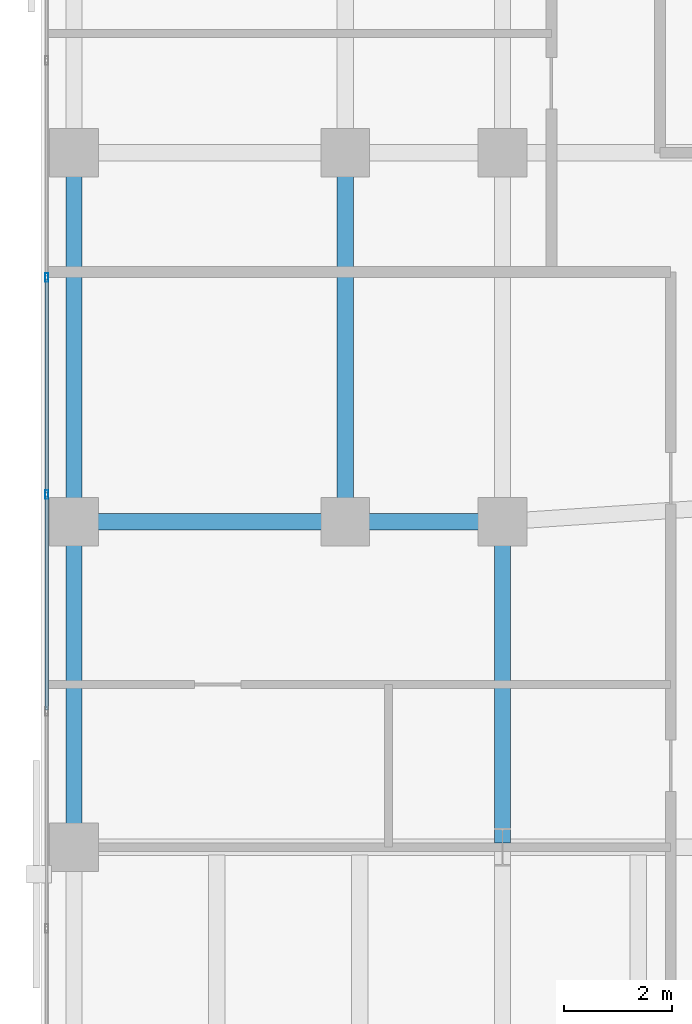
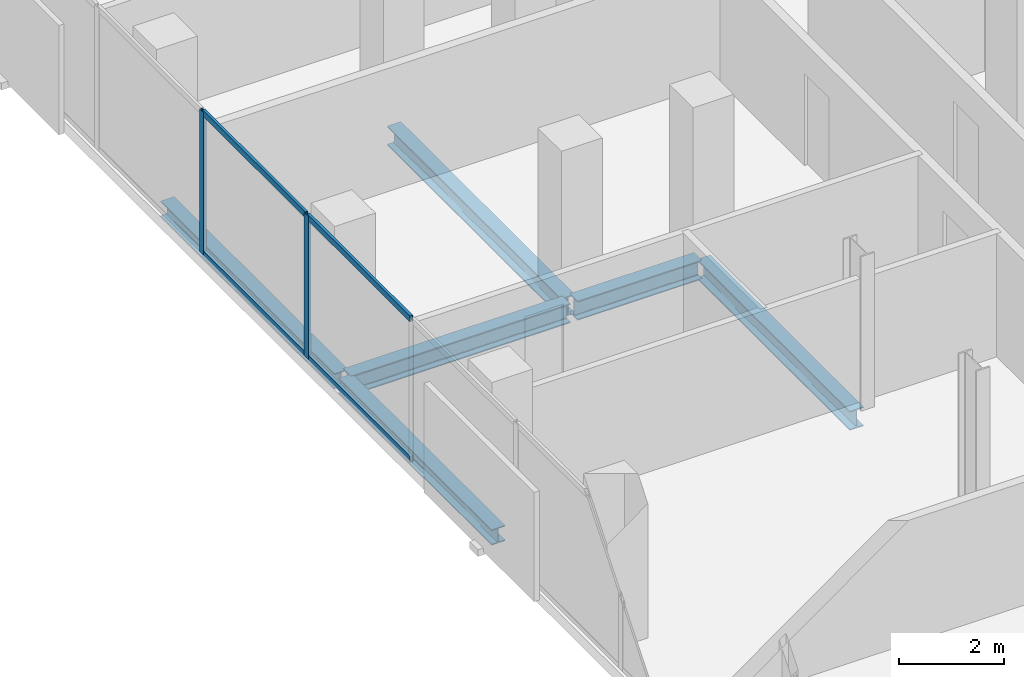
# One storey, part 9 of 34: 6 beams, 6 members, 1 element without a shape of its own.
"""IFC4 building model written with IfcOpenShell, lengths in metres."""

from ifc_helpers import new_model, si_unit, direction, frame, origin, origin_2d, place, context, subcontext, project, spatial, hollow_rectangle, i_section, extrude, material, layer, layer_set, material_profile, profile_set, type_object, element, aggregate, save


model = new_model("IFC4")

# Units and contexts
model_context = context("Model", 3, precision=1e-05, world=origin(), true_north=direction((0.0, 1.0)))
body_context = subcontext(model_context, "Body", "Model", "MODEL_VIEW")
ifc_project = project(units=[si_unit("LENGTHUNIT", "METRE"), si_unit("AREAUNIT", "SQUARE_METRE"), si_unit("VOLUMEUNIT", "CUBIC_METRE"), si_unit("PLANEANGLEUNIT", "RADIAN"), si_unit("MASSUNIT", "GRAM", prefix="KILO")], contexts=[model_context])

# Site, building, storey
site_placement = place(None, origin())
site = spatial("IfcSite", under=ifc_project, at=site_placement, CompositionType="ELEMENT")
building_placement = place(site_placement, origin())
building = spatial("IfcBuilding", under=site, at=building_placement, Name="Catumbela Crestline Tower", CompositionType="ELEMENT")
storey_placement = place(building_placement, frame((0.0, 0.0, 111.6)))
storey = spatial("IfcBuildingStorey", under=building, at=storey_placement, Name="L28", CompositionType="ELEMENT", Elevation=111.6)

# Beams
ifc_material_1 = material(Name="Structural steel S355J2", Category="steel")
ifc_material_profile_1 = material_profile(ifc_material_1, i_section(OverallWidth=0.3, OverallDepth=0.45, WebThickness=0.014, FlangeThickness=0.026, FilletRadius=0.027, at=origin_2d()), Name="HEB 450")
ifc_profile_set_1 = profile_set([ifc_material_profile_1], Name="Structural steel S355J2")
beam_type_1 = type_object("IfcBeamType", Name="BG-HEB450", PredefinedType="BEAM", material=ifc_profile_set_1)
beam_1_placement = place(storey_placement, frame((0.68, 24.0, -0.485), z_axis=(1.0, 0.0, 0.0), x_axis=(0.0, 1.0, 0.0)))
element("IfcBeam", 1, at=beam_1_placement, inside=storey, type_object=beam_type_1, Name="L28 Beam BM-L28-S01", PredefinedType="BEAM", context=body_context, shape_type="SweptSolid", body=[
    extrude(i_section(OverallWidth=0.3, OverallDepth=0.45, WebThickness=0.014, FlangeThickness=0.026, FilletRadius=0.027, at=origin_2d()), origin(), (0.0, 0.0, 1.0), 4.84),
])
beam_2_placement = place(storey_placement, frame((5.68, 24.0, -0.485), z_axis=(1.0, 0.0, 0.0), x_axis=(0.0, 1.0, 0.0)))
element("IfcBeam", 2, at=beam_2_placement, inside=storey, type_object=beam_type_1, Name="L28 Beam BM-L28-S02", PredefinedType="BEAM", context=body_context, shape_type="SweptSolid", body=[
    extrude(i_section(OverallWidth=0.3, OverallDepth=0.45, WebThickness=0.014, FlangeThickness=0.026, FilletRadius=0.027, at=origin_2d()), origin(), (0.0, 0.0, 1.0), 2.74),
])
beam_3_placement = place(storey_placement, frame((5.6, 24.08, -0.485), z_axis=(0.0, 1.0, 0.0), x_axis=(-1.0, 0.0, 0.0)))
element("IfcBeam", 3, at=beam_3_placement, inside=storey, type_object=beam_type_1, Name="L28 Beam BM-L28-SN24", PredefinedType="BEAM", context=body_context, shape_type="SweptSolid", body=[
    extrude(i_section(OverallWidth=0.3, OverallDepth=0.45, WebThickness=0.014, FlangeThickness=0.026, FilletRadius=0.027, at=origin_2d()), origin(), (0.0, 0.0, 1.0), 6.64),
])
beam_4_placement = place(storey_placement, frame((8.5, 18.08, -0.485), z_axis=(0.0, 1.0, 0.0), x_axis=(-1.0, 0.0, 0.0)))
element("IfcBeam", 4, at=beam_4_placement, inside=storey, type_object=beam_type_1, Name="L28 Beam BM-L28-WNS57", PredefinedType="BEAM", context=body_context, shape_type="SweptSolid", body=[
    extrude(i_section(OverallWidth=0.3, OverallDepth=0.45, WebThickness=0.014, FlangeThickness=0.026, FilletRadius=0.027, at=origin_2d()), origin(), (0.0, 0.0, 1.0), 5.84),
])

# Curtain wall, members
ifc_material_2 = material(Name="Aluminium alloy AW-6060-T66", Category="aluminium")
ifc_layer = layer(ifc_material_2, 0.18, Name="Aluminium alloy AW-6060-T66")
ifc_layer_set = layer_set([ifc_layer], Name="Aluminium alloy AW-6060-T66")
curtain_wall_type = type_object("IfcCurtainWallType", Name="CWU-Z2", PredefinedType="USERDEFINED", material=ifc_layer_set)
curtain_wall_placement = place(storey_placement, origin())
curtain_wall = element("IfcCurtainWall", 5, at=curtain_wall_placement, inside=storey, type_object=curtain_wall_type, Name="L28 Unitised Curtain Wall CW-L28-E9S1", ObjectType="UNITISED", PredefinedType="USERDEFINED")
ifc_material_profile_2 = material_profile(ifc_material_2, hollow_rectangle(XDim=0.06, YDim=0.16, WallThickness=0.004, at=origin_2d()), Name="ALU 160x60x4")
ifc_profile_set_2 = profile_set([ifc_material_profile_2], Name="Aluminium alloy AW-6060-T66")
member_type_1 = type_object("IfcMemberType", Name="MUL-160X60", PredefinedType="MULLION", material=ifc_profile_set_2)
member_1_placement = place(storey_placement, frame((0.1, 28.5, 0.0), z_axis=(0.0, 0.0, 1.0), x_axis=(1.0, 0.0, 0.0)))
member_1 = element("IfcMember", 6, at=member_1_placement, type_object=member_type_1, Name="CWU-Z2 mullion 5", PredefinedType="MULLION", context=body_context, shape_type="SweptSolid", body=[
    extrude(hollow_rectangle(XDim=0.06, YDim=0.16, WallThickness=0.004, at=origin_2d()), origin(), (0.0, 0.0, 1.0), 3.33),
])
member_2_placement = place(storey_placement, frame((0.1, 24.5, 0.0), z_axis=(0.0, 0.0, 1.0), x_axis=(1.0, 0.0, 0.0)))
member_2 = element("IfcMember", 7, at=member_2_placement, type_object=member_type_1, Name="CWU-Z2 mullion 6", PredefinedType="MULLION", context=body_context, shape_type="SweptSolid", body=[
    extrude(hollow_rectangle(XDim=0.06, YDim=0.16, WallThickness=0.004, at=origin_2d()), origin(), (0.0, 0.0, 1.0), 3.33),
])

# Beams
ifc_material_profile_3 = material_profile(ifc_material_1, i_section(OverallWidth=0.3, OverallDepth=0.36, WebThickness=0.0125, FlangeThickness=0.0225, FilletRadius=0.027, at=origin_2d()), Name="HEB 360")
ifc_profile_set_3 = profile_set([ifc_material_profile_3], Name="Structural steel S355J2")
beam_type_2 = type_object("IfcBeamType", Name="BS-HEB360", PredefinedType="SPANDREL", material=ifc_profile_set_3)
beam_5_placement = place(storey_placement, frame((0.6, 24.08, -0.44), z_axis=(0.0, 1.0, 0.0), x_axis=(-1.0, 0.0, 0.0)))
element("IfcBeam", 8, at=beam_5_placement, inside=storey, type_object=beam_type_2, Name="L28 Spandrel SP-L28-SN22", PredefinedType="SPANDREL", context=body_context, shape_type="SweptSolid", body=[
    extrude(i_section(OverallWidth=0.3, OverallDepth=0.36, WebThickness=0.0125, FlangeThickness=0.0225, FilletRadius=0.027, at=origin_2d()), origin(), (0.0, 0.0, 1.0), 6.64),
])
beam_6_placement = place(storey_placement, frame((0.6, 18.08, -0.44), z_axis=(0.0, 1.0, 0.0), x_axis=(-1.0, 0.0, 0.0)))
element("IfcBeam", 9, at=beam_6_placement, inside=storey, type_object=beam_type_2, Name="L28 Spandrel SP-L28-WNS54", PredefinedType="SPANDREL", context=body_context, shape_type="SweptSolid", body=[
    extrude(i_section(OverallWidth=0.3, OverallDepth=0.36, WebThickness=0.0125, FlangeThickness=0.0225, FilletRadius=0.027, at=origin_2d()), origin(), (0.0, 0.0, 1.0), 5.84),
])

# Member
ifc_material_profile_4 = material_profile(ifc_material_2, hollow_rectangle(XDim=0.06, YDim=0.14, WallThickness=0.004, at=origin_2d()), Name="ALU 140x60x4")
ifc_profile_set_4 = profile_set([ifc_material_profile_4], Name="Aluminium alloy AW-6060-T66")
member_type_2 = type_object("IfcMemberType", Name="TRN-140X60", PredefinedType="USERDEFINED", material=ifc_profile_set_4)
member_3_placement = place(storey_placement, frame((0.1, 28.4675, 0.03), z_axis=(0.0, -1.0, 0.0), x_axis=(1.0, 0.0, 0.0)))
member_3 = element("IfcMember", 10, at=member_3_placement, type_object=member_type_2, Name="CWU-Z2 transom 5.1", ObjectType="TRANSOM", PredefinedType="USERDEFINED", context=body_context, shape_type="SweptSolid", body=[
    extrude(hollow_rectangle(XDim=0.06, YDim=0.14, WallThickness=0.004, at=origin_2d()), origin(), (0.0, 0.0, 1.0), 3.935),
])

member_4_placement = place(storey_placement, frame((0.1, 28.4675, 3.3), z_axis=(0.0, -1.0, 0.0), x_axis=(1.0, 0.0, 0.0)))
member_4 = element("IfcMember", 11, at=member_4_placement, type_object=member_type_2, Name="CWU-Z2 transom 5.2", ObjectType="TRANSOM", PredefinedType="USERDEFINED", context=body_context, shape_type="SweptSolid", body=[
    extrude(hollow_rectangle(XDim=0.06, YDim=0.14, WallThickness=0.004, at=origin_2d()), origin(), (0.0, 0.0, 1.0), 3.935),
])

member_5_placement = place(storey_placement, frame((0.1, 24.4675, 0.03), z_axis=(0.0, -1.0, 0.0), x_axis=(1.0, 0.0, 0.0)))
member_5 = element("IfcMember", 12, at=member_5_placement, type_object=member_type_2, Name="CWU-Z2 transom 6.1", ObjectType="TRANSOM", PredefinedType="USERDEFINED", context=body_context, shape_type="SweptSolid", body=[
    extrude(hollow_rectangle(XDim=0.06, YDim=0.14, WallThickness=0.004, at=origin_2d()), origin(), (0.0, 0.0, 1.0), 3.935),
])

member_6_placement = place(storey_placement, frame((0.1, 24.4675, 3.3), z_axis=(0.0, -1.0, 0.0), x_axis=(1.0, 0.0, 0.0)))
member_6 = element("IfcMember", 13, at=member_6_placement, type_object=member_type_2, Name="CWU-Z2 transom 6.2", ObjectType="TRANSOM", PredefinedType="USERDEFINED", context=body_context, shape_type="SweptSolid", body=[
    extrude(hollow_rectangle(XDim=0.06, YDim=0.14, WallThickness=0.004, at=origin_2d()), origin(), (0.0, 0.0, 1.0), 3.935),
])

aggregate(curtain_wall, [member_1, member_2, member_3, member_4, member_5, member_6])

save(model, "model.ifc")
